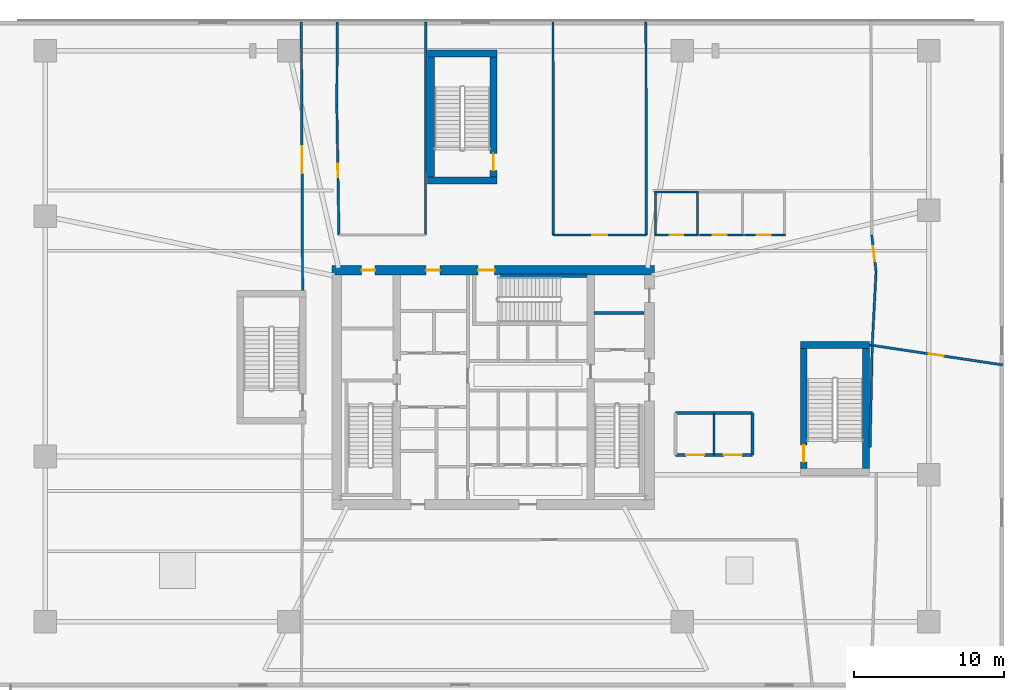
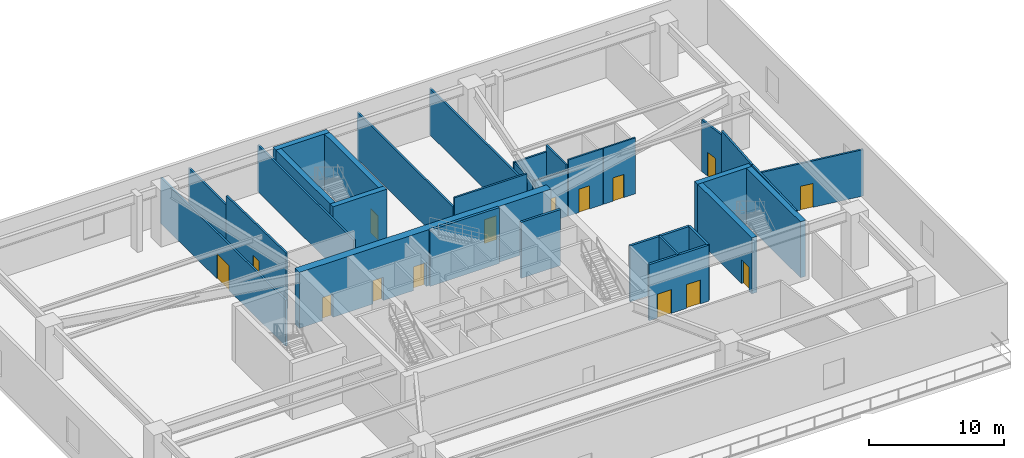
# One storey, part 6 of 11: 31 walls, 15 doors, 15 openings.
"""IFC4 building model written with IfcOpenShell, lengths in metres."""

from ifc_helpers import new_model, si_unit, direction, frame, frame_2d, origin, place, context, subcontext, project, spatial, rectangle, extrude, material, layer, layer_set, type_object, element, fill, save


model = new_model("IFC4")

# Units and contexts
model_context = context("Model", 3, precision=1e-05, world=origin(), true_north=direction((0.0, 1.0)))
body_context = subcontext(model_context, "Body", "Model", "MODEL_VIEW")
ifc_project = project(units=[si_unit("LENGTHUNIT", "METRE"), si_unit("AREAUNIT", "SQUARE_METRE"), si_unit("VOLUMEUNIT", "CUBIC_METRE"), si_unit("PLANEANGLEUNIT", "RADIAN"), si_unit("MASSUNIT", "GRAM", prefix="KILO")], contexts=[model_context])

# Site, building, storey
site_placement = place(None, origin())
site = spatial("IfcSite", under=ifc_project, at=site_placement, CompositionType="ELEMENT")
building_placement = place(site_placement, origin())
building = spatial("IfcBuilding", under=site, at=building_placement, Name="Qarnah Convention Tower", CompositionType="ELEMENT")
storey_placement = place(building_placement, frame((0.0, 0.0, 10.800048828125)))
storey = spatial("IfcBuildingStorey", under=building, at=storey_placement, Name="L02", CompositionType="ELEMENT", Elevation=10.800048828125)

# Wall, openings, doors
ifc_material_1 = material(Name="Concrete C60/75", Category="concrete")
ifc_layer_1 = layer(ifc_material_1, 0.64990234375)
ifc_layer_set_1 = layer_set([ifc_layer_1], Name="Concrete C60/75")
wall_type_1 = type_object("IfcWallType", Name="WL-CORE-650", PredefinedType="SHEAR", material=ifc_layer_set_1)
wall_1_placement = place(storey_placement, frame((26.47509765625, 34.199951171875, 0.0), z_axis=(0.0, 0.0, 1.0), x_axis=(1.0, 0.0, 0.0)))
wall_1 = element("IfcWall", 1, at=wall_1_placement, inside=storey, type_object=wall_type_1, Name="L02 core north shear wall", PredefinedType="SHEAR", context=body_context, shape_type="SweptSolid", body=[
    extrude(rectangle(XDim=21.449951171875, YDim=0.64990234375, at=frame_2d((10.72509765625, 0.0))), origin(), (0.0, 0.0, 1.0), 5.050048828125),
])
opening_1_placement = place(wall_1_placement, frame((9.72509765625, 0.0, 0.0)))
opening_1 = element("IfcOpeningElement", 2, at=opening_1_placement, cuts=wall_1, Name="Opening D-0203", PredefinedType="OPENING", context=body_context, shape_type="SweptSolid", body=[
    extrude(rectangle(XDim=1.10009765625, YDim=2.14990234375, at=frame_2d((0.550048828125, 1.074951171875))), frame((0.0, 0.3349609375, 0.0), z_axis=(0.0, -1.0, 0.0), x_axis=(1.0, 0.0, 0.0)), (0.0, 0.0, 1.0), 0.669921875),
])
opening_2_placement = place(wall_1_placement, frame((1.97509765625, 0.0, 0.0)))
opening_2 = element("IfcOpeningElement", 3, at=opening_2_placement, cuts=wall_1, Name="Opening D-0209", PredefinedType="OPENING", context=body_context, shape_type="SweptSolid", body=[
    extrude(rectangle(XDim=0.89990234375, YDim=2.10009765625, at=frame_2d((0.449951171875, 1.050048828125))), frame((0.0, 0.3349609375, 0.0), z_axis=(0.0, -1.0, 0.0), x_axis=(1.0, 0.0, 0.0)), (0.0, 0.0, 1.0), 0.669921875),
])
opening_3_placement = place(wall_1_placement, frame((6.27490234375, 0.0, 0.0)))
opening_3 = element("IfcOpeningElement", 4, at=opening_3_placement, cuts=wall_1, Name="Opening D-0210", PredefinedType="OPENING", context=body_context, shape_type="SweptSolid", body=[
    extrude(rectangle(XDim=0.89990234375, YDim=2.10009765625, at=frame_2d((0.449951171875, 1.050048828125))), frame((0.0, 0.3349609375, 0.0), z_axis=(0.0, -1.0, 0.0), x_axis=(1.0, 0.0, 0.0)), (0.0, 0.0, 1.0), 0.669921875),
])
ifc_material_2 = material(Name="Structural steel S355JR", Category="steel")
door_type_1 = type_object("IfcDoorType", Name="DT-RISER-900", OperationType="NOTDEFINED", PredefinedType="DOOR", material=ifc_material_2)
door_1_placement = place(opening_2_placement, origin())
door_1 = element("IfcDoor", 5, at=door_1_placement, inside=storey, type_object=door_type_1, Name="Door D-0209", OperationType="SINGLE_SWING_RIGHT", OverallHeight=2.10009765625, OverallWidth=0.89990234375, PredefinedType="DOOR", context=body_context, shape_type="SweptSolid", body=[
    extrude(rectangle(XDim=0.89990234375, YDim=2.10009765625, at=frame_2d((0.449951171875, 1.050048828125))), frame((0.0, 0.02490234375, 0.0), z_axis=(0.0, -1.0, 0.0), x_axis=(1.0, 0.0, 0.0)), (0.0, 0.0, 1.0), 0.050048828125),
])
fill(opening_2, door_1)
door_2_placement = place(opening_3_placement, origin())
door_2 = element("IfcDoor", 6, at=door_2_placement, inside=storey, type_object=door_type_1, Name="Door D-0210", OperationType="SINGLE_SWING_LEFT", OverallHeight=2.10009765625, OverallWidth=0.89990234375, PredefinedType="DOOR", context=body_context, shape_type="SweptSolid", body=[
    extrude(rectangle(XDim=0.89990234375, YDim=2.10009765625, at=frame_2d((0.449951171875, 1.050048828125))), frame((0.0, 0.02490234375, 0.0), z_axis=(0.0, -1.0, 0.0), x_axis=(1.0, 0.0, 0.0)), (0.0, 0.0, 1.0), 0.050048828125),
])
fill(opening_3, door_2)
door_type_2 = type_object("IfcDoorType", Name="DT-STAIR-1100", OperationType="NOTDEFINED", PredefinedType="DOOR", material=ifc_material_2)
door_3_placement = place(opening_1_placement, origin())
door_3 = element("IfcDoor", 7, at=door_3_placement, inside=storey, type_object=door_type_2, Name="Door D-0203", OperationType="SINGLE_SWING_RIGHT", OverallHeight=2.14990234375, OverallWidth=1.10009765625, PredefinedType="DOOR", context=body_context, shape_type="SweptSolid", body=[
    extrude(rectangle(XDim=1.10009765625, YDim=2.14990234375, at=frame_2d((0.550048828125, 1.074951171875))), frame((0.0, 0.02490234375, 0.0), z_axis=(0.0, -1.0, 0.0), x_axis=(1.0, 0.0, 0.0)), (0.0, 0.0, 1.0), 0.050048828125),
])
fill(opening_1, door_3)

# Walls
ifc_material_3 = material(Name="Concrete C45/55", Category="concrete")
ifc_layer_2 = layer(ifc_material_3, 0.199951171875)
ifc_layer_set_2 = layer_set([ifc_layer_2], Name="Concrete C45/55")
wall_type_2 = type_object("IfcWallType", Name="WL-CORE-PART-200", PredefinedType="SOLIDWALL", material=ifc_layer_set_2)
wall_2_placement = place(storey_placement, frame((43.89990234375, 31.35009765625, 0.0), z_axis=(0.0, 0.0, 1.0), x_axis=(1.0, 0.0, 0.0)))
element("IfcWall", 8, at=wall_2_placement, inside=storey, type_object=wall_type_2, Name="L02 interior wall IW-L02-WTRN", PredefinedType="SOLIDWALL", context=body_context, shape_type="SweptSolid", body=[
    extrude(rectangle(XDim=3.35009765625, YDim=0.199951171875, at=frame_2d((1.675048828125, 0.0))), origin(), (0.0, 0.0, 1.0), 5.050048828125),
])
wall_3_placement = place(storey_placement, frame((49.35009765625, 24.699951171875, 0.0), z_axis=(0.0, 0.0, 1.0), x_axis=(1.0, 0.0, 0.0)))
element("IfcWall", 9, at=wall_3_placement, inside=storey, type_object=wall_type_2, Name="L02 interior wall IW-L02-PSN", PredefinedType="SOLIDWALL", context=body_context, shape_type="SweptSolid", body=[
    extrude(rectangle(XDim=5.099853515625, YDim=0.199951171875, at=frame_2d((2.5498046875, 0.0))), origin(), (0.0, 0.0, 1.0), 5.050048828125),
])

# Wall, openings, doors
wall_4_placement = place(storey_placement, frame((49.35009765625, 21.89990234375, 0.0), z_axis=(0.0, 0.0, 1.0), x_axis=(1.0, 0.0, 0.0)))
wall_4 = element("IfcWall", 10, at=wall_4_placement, inside=storey, type_object=wall_type_2, Name="L02 interior wall IW-L02-PSS", PredefinedType="SOLIDWALL", context=body_context, shape_type="SweptSolid", body=[
    extrude(rectangle(XDim=5.099853515625, YDim=0.199951171875, at=frame_2d((2.5498046875, 0.0))), origin(), (0.0, 0.0, 1.0), 5.050048828125),
])
opening_4_placement = place(wall_4_placement, frame((0.699951171875, 0.0, 0.0)))
opening_4 = element("IfcOpeningElement", 11, at=opening_4_placement, cuts=wall_4, Name="Opening LD-0208", PredefinedType="OPENING", context=body_context, shape_type="SweptSolid", body=[
    extrude(rectangle(XDim=1.199951171875, YDim=2.14990234375, at=frame_2d((0.60009765625, 1.074951171875))), frame((0.0, 0.10986328125, 0.0), z_axis=(0.0, -1.0, 0.0), x_axis=(1.0, 0.0, 0.0)), (0.0, 0.0, 1.0), 0.219970703125),
])
opening_5_placement = place(wall_4_placement, frame((3.199951171875, 0.0, 0.0)))
opening_5 = element("IfcOpeningElement", 12, at=opening_5_placement, cuts=wall_4, Name="Opening LD-0209", PredefinedType="OPENING", context=body_context, shape_type="SweptSolid", body=[
    extrude(rectangle(XDim=1.199951171875, YDim=2.14990234375, at=frame_2d((0.60009765625, 1.074951171875))), frame((0.0, 0.10986328125, 0.0), z_axis=(0.0, -1.0, 0.0), x_axis=(1.0, 0.0, 0.0)), (0.0, 0.0, 1.0), 0.219970703125),
])
door_type_3 = type_object("IfcDoorType", Name="DT-LIFT-1200", OperationType="SLIDING_TO_LEFT", PredefinedType="DOOR", material=ifc_material_2)
door_4_placement = place(opening_4_placement, origin())
door_4 = element("IfcDoor", 13, at=door_4_placement, inside=storey, type_object=door_type_3, Name="Door LD-0208", OperationType="SLIDING_TO_LEFT", OverallHeight=2.14990234375, OverallWidth=1.199951171875, PredefinedType="DOOR", context=body_context, shape_type="SweptSolid", body=[
    extrude(rectangle(XDim=1.199951171875, YDim=2.14990234375, at=frame_2d((0.60009765625, 1.074951171875))), frame((0.0, 0.02490234375, 0.0), z_axis=(0.0, -1.0, 0.0), x_axis=(1.0, 0.0, 0.0)), (0.0, 0.0, 1.0), 0.050048828125),
])
fill(opening_4, door_4)
door_5_placement = place(opening_5_placement, origin())
door_5 = element("IfcDoor", 14, at=door_5_placement, inside=storey, type_object=door_type_3, Name="Door LD-0209", OperationType="SLIDING_TO_LEFT", OverallHeight=2.14990234375, OverallWidth=1.199951171875, PredefinedType="DOOR", context=body_context, shape_type="SweptSolid", body=[
    extrude(rectangle(XDim=1.199951171875, YDim=2.14990234375, at=frame_2d((0.60009765625, 1.074951171875))), frame((0.0, 0.02490234375, 0.0), z_axis=(0.0, -1.0, 0.0), x_axis=(1.0, 0.0, 0.0)), (0.0, 0.0, 1.0), 0.050048828125),
])
fill(opening_5, door_5)

# Walls
wall_5_placement = place(storey_placement, frame((54.449951171875, 21.89990234375, 0.0), z_axis=(0.0, 0.0, 1.0), x_axis=(0.0, 1.0, 0.0)))
element("IfcWall", 15, at=wall_5_placement, inside=storey, type_object=wall_type_2, Name="L02 interior wall IW-L02-PSE", PredefinedType="SOLIDWALL", context=body_context, shape_type="SweptSolid", body=[
    extrude(rectangle(XDim=2.800048828125, YDim=0.199951171875, at=frame_2d((1.39990234375, 0.0))), origin(), (0.0, 0.0, 1.0), 5.050048828125),
])
ifc_layer_3 = layer(ifc_material_1, 0.219970703125)
ifc_layer_set_3 = layer_set([ifc_layer_3], Name="Concrete C60/75")
wall_type_3 = type_object("IfcWallType", Name="WL-CORE-STAIR-220", PredefinedType="SHEAR", material=ifc_layer_set_3)
wall_6_placement = place(storey_placement, frame((37.550048828125, 33.840087890625, 0.0), z_axis=(0.0, 0.0, 1.0), x_axis=(1.0, 0.0, 0.0)))
element("IfcWall", 16, at=wall_6_placement, inside=storey, type_object=wall_type_3, Name="L02 stair shaft shear wall SW-L02-ST3N", PredefinedType="SHEAR", context=body_context, shape_type="SweptSolid", body=[
    extrude(rectangle(XDim=5.89990234375, YDim=0.219970703125, at=frame_2d((2.949951171875, 0.0))), origin(), (0.0, 0.0, 1.0), 5.050048828125),
])

# Wall, opening, door
ifc_material_4 = material(Name="Gypsum partition board")
ifc_layer_4 = layer(ifc_material_4, 0.159912109375)
ifc_layer_set_4 = layer_set([ifc_layer_4], Name="Gypsum partition board")
wall_type_4 = type_object("IfcWallType", Name="WL-CORR-160", PredefinedType="PARTITIONING", material=ifc_layer_set_4)
wall_7_placement = place(storey_placement, frame((24.52490234375, 32.39990234375, 0.0), z_axis=(0.0, 0.0, 1.0), x_axis=(-0.004795085797, 0.99998850351, 0.0)))
wall_7 = element("IfcWall", 17, at=wall_7_placement, inside=storey, type_object=wall_type_4, Name="L02 interior wall IW-L02-R-12", PredefinedType="PARTITIONING", context=body_context, shape_type="SweptSolid", body=[
    extrude(rectangle(XDim=18.329345703125, YDim=0.159912109375, at=frame_2d((9.16455078125, 0.0))), origin(), (0.0, 0.0, 1.0), 4.135009765625),
])
opening_6_placement = place(wall_7_placement, frame((8.264892578125, 0.0, 0.0)))
opening_6 = element("IfcOpeningElement", 18, at=opening_6_placement, cuts=wall_7, Name="Opening D-0222", PredefinedType="OPENING", context=body_context, shape_type="SweptSolid", body=[
    extrude(rectangle(XDim=1.800048828125, YDim=2.25, at=frame_2d((0.89990234375, 1.125))), frame((0.0, 0.08984375, 0.0), z_axis=(0.0, -1.0, 0.0), x_axis=(1.0, 0.0, 0.0)), (0.0, 0.0, 1.0), 0.179931640625),
])
ifc_material_5 = material(Name="Black anodised aluminium", Category="aluminium")
door_type_4 = type_object("IfcDoorType", Name="DT-HALL-DBL-1800", OperationType="DOUBLE_DOOR_SINGLE_SWING", PredefinedType="DOOR", material=ifc_material_5)
door_6_placement = place(opening_6_placement, origin())
door_6 = element("IfcDoor", 19, at=door_6_placement, inside=storey, type_object=door_type_4, Name="Door D-0222", OperationType="DOUBLE_DOOR_SINGLE_SWING", OverallHeight=2.25, OverallWidth=1.800048828125, PredefinedType="DOOR", context=body_context, shape_type="SweptSolid", body=[
    extrude(rectangle(XDim=1.800048828125, YDim=2.25, at=frame_2d((0.89990234375, 1.125))), frame((0.0, 0.02490234375, 0.0), z_axis=(0.0, -1.0, 0.0), x_axis=(1.0, 0.0, 0.0)), (0.0, 0.0, 1.0), 0.050048828125),
])
fill(opening_6, door_6)

wall_8_placement = place(storey_placement, frame((71.1201171875, 27.89599609375, 0.0), z_axis=(0.0, 0.0, 1.0), x_axis=(-0.988959501166, 0.148186048782, 0.0)))
wall_8 = element("IfcWall", 20, at=wall_8_placement, inside=storey, type_object=wall_type_4, Name="L02 interior wall IW-L02-R-15", PredefinedType="PARTITIONING", context=body_context, shape_type="SweptSolid", body=[
    extrude(rectangle(XDim=8.96923828125, YDim=0.159912109375, at=frame_2d((4.484619140625, 0.0))), origin(), (0.0, 0.0, 1.0), 4.19091796875),
])
opening_7_placement = place(wall_8_placement, frame((3.985107421875, 0.0, 0.0)))
opening_7 = element("IfcOpeningElement", 21, at=opening_7_placement, cuts=wall_8, Name="Opening D-0224", PredefinedType="OPENING", context=body_context, shape_type="SweptSolid", body=[
    extrude(rectangle(XDim=1.0, YDim=2.14990234375, at=frame_2d((0.5, 1.074951171875))), frame((0.0, 0.08984375, 0.0), z_axis=(0.0, -1.0, 0.0), x_axis=(1.0, 0.0, 0.0)), (0.0, 0.0, 1.0), 0.179931640625),
])
ifc_material_6 = material(Name="Oak timber veneer", Category="wood")
door_type_5 = type_object("IfcDoorType", Name="DT-OFFICE-1000", OperationType="NOTDEFINED", PredefinedType="DOOR", material=ifc_material_6)
door_7_placement = place(opening_7_placement, origin())
door_7 = element("IfcDoor", 22, at=door_7_placement, inside=storey, type_object=door_type_5, Name="Door D-0224", OperationType="SINGLE_SWING_RIGHT", OverallHeight=2.14990234375, OverallWidth=1.0, PredefinedType="DOOR", context=body_context, shape_type="SweptSolid", body=[
    extrude(rectangle(XDim=1.0, YDim=2.14990234375, at=frame_2d((0.5, 1.074951171875))), frame((0.0, 0.02490234375, 0.0), z_axis=(0.0, -1.0, 0.0), x_axis=(1.0, 0.0, 0.0)), (0.0, 0.0, 1.0), 0.050048828125),
])
fill(opening_7, door_7)

# Wall
wall_9_placement = place(storey_placement, frame((62.429931640625, 29.197998046875, 0.0), z_axis=(0.0, 0.0, 1.0), x_axis=(-0.021368945517, -0.999771658014, 0.0)))
element("IfcWall", 23, at=wall_9_placement, inside=storey, type_object=wall_type_4, Name="L02 interior wall IW-L02-R-16", PredefinedType="PARTITIONING", context=body_context, shape_type="SweptSolid", body=[
    extrude(rectangle(XDim=6.786376953125, YDim=0.159912109375, at=frame_2d((3.39306640625, 0.0))), origin(), (0.0, 0.0, 1.0), 5.050048828125),
])

# Wall, opening, door
wall_10_placement = place(storey_placement, frame((62.39990234375, 36.5400390625, 0.0), z_axis=(0.0, 0.0, 1.0), x_axis=(0.116160443909, -0.993230462315, 0.0)))
wall_10 = element("IfcWall", 24, at=wall_10_placement, inside=storey, type_object=wall_type_4, Name="L02 interior wall IW-L02-R-20", PredefinedType="PARTITIONING", context=body_context, shape_type="SweptSolid", body=[
    extrude(rectangle(XDim=2.496826171875, YDim=0.159912109375, at=frame_2d((1.24853515625, 0.0))), origin(), (0.0, 0.0, 1.0), 4.678955078125),
])
opening_8_placement = place(wall_10_placement, frame((0.748046875, 0.0, 0.0)))
opening_8 = element("IfcOpeningElement", 25, at=opening_8_placement, cuts=wall_10, Name="Opening D-0225", PredefinedType="OPENING", context=body_context, shape_type="SweptSolid", body=[
    extrude(rectangle(XDim=1.0, YDim=2.14990234375, at=frame_2d((0.5, 1.074951171875))), frame((0.0, 0.08984375, 0.0), z_axis=(0.0, -1.0, 0.0), x_axis=(1.0, 0.0, 0.0)), (0.0, 0.0, 1.0), 0.179931640625),
])
door_8_placement = place(opening_8_placement, origin())
door_8 = element("IfcDoor", 26, at=door_8_placement, inside=storey, type_object=door_type_5, Name="Door D-0225", OperationType="SINGLE_SWING_LEFT", OverallHeight=2.14990234375, OverallWidth=1.0, PredefinedType="DOOR", context=body_context, shape_type="SweptSolid", body=[
    extrude(rectangle(XDim=1.0, YDim=2.14990234375, at=frame_2d((0.5, 1.074951171875))), frame((0.0, 0.02490234375, 0.0), z_axis=(0.0, -1.0, 0.0), x_axis=(1.0, 0.0, 0.0)), (0.0, 0.0, 1.0), 0.050048828125),
])
fill(opening_8, door_8)

# Walls
wall_11_placement = place(storey_placement, frame((62.68603515625, 34.093017578125, 0.0), z_axis=(0.0, 0.0, 1.0), x_axis=(-0.05224774202, -0.998634153959, 0.0)))
element("IfcWall", 27, at=wall_11_placement, inside=storey, type_object=wall_type_4, Name="L02 interior wall IW-L02-R-21", PredefinedType="PARTITIONING", context=body_context, shape_type="SweptSolid", body=[
    extrude(rectangle(XDim=4.901611328125, YDim=0.159912109375, at=frame_2d((2.45068359375, 0.0))), origin(), (0.0, 0.0, 1.0), 5.050048828125),
])
wall_12_placement = place(storey_placement, frame((41.18701171875, 50.720947265625, 0.0), z_axis=(0.0, 0.0, 1.0), x_axis=(0.000912455504, -0.999999583712, 0.0)))
element("IfcWall", 28, at=wall_12_placement, inside=storey, type_object=wall_type_4, Name="L02 interior wall IW-L02-R-22", PredefinedType="PARTITIONING", context=body_context, shape_type="SweptSolid", body=[
    extrude(rectangle(XDim=14.180908203125, YDim=0.159912109375, at=frame_2d((7.09033203125, 0.0))), origin(), (0.0, 0.0, 1.0), 4.19091796875),
])

# Wall, opening, door
wall_13_placement = place(storey_placement, frame((41.199951171875, 36.5400390625, 0.0), z_axis=(0.0, 0.0, 1.0), x_axis=(1.0, 0.0, 0.0)))
wall_13 = element("IfcWall", 29, at=wall_13_placement, inside=storey, type_object=wall_type_4, Name="L02 interior wall IW-L02-R-23", PredefinedType="PARTITIONING", context=body_context, shape_type="SweptSolid", body=[
    extrude(rectangle(XDim=6.199951171875, YDim=0.159912109375, at=frame_2d((3.10009765625, 0.0))), origin(), (0.0, 0.0, 1.0), 5.050048828125),
])
opening_9_placement = place(wall_13_placement, frame((2.60009765625, 0.0, 0.0)))
opening_9 = element("IfcOpeningElement", 30, at=opening_9_placement, cuts=wall_13, Name="Opening D-0226", PredefinedType="OPENING", context=body_context, shape_type="SweptSolid", body=[
    extrude(rectangle(XDim=1.0, YDim=2.14990234375, at=frame_2d((0.5, 1.074951171875))), frame((0.0, 0.08984375, 0.0), z_axis=(0.0, -1.0, 0.0), x_axis=(1.0, 0.0, 0.0)), (0.0, 0.0, 1.0), 0.179931640625),
])
door_9_placement = place(opening_9_placement, origin())
door_9 = element("IfcDoor", 31, at=door_9_placement, inside=storey, type_object=door_type_5, Name="Door D-0226", OperationType="SINGLE_SWING_RIGHT", OverallHeight=2.14990234375, OverallWidth=1.0, PredefinedType="DOOR", context=body_context, shape_type="SweptSolid", body=[
    extrude(rectangle(XDim=1.0, YDim=2.14990234375, at=frame_2d((0.5, 1.074951171875))), frame((0.0, 0.02490234375, 0.0), z_axis=(0.0, -1.0, 0.0), x_axis=(1.0, 0.0, 0.0)), (0.0, 0.0, 1.0), 0.050048828125),
])
fill(opening_9, door_9)

# Walls
wall_14_placement = place(storey_placement, frame((47.39990234375, 36.5400390625, 0.0), z_axis=(0.0, 0.0, 1.0), x_axis=(-0.002185655469, 0.999997611452, 0.0)))
element("IfcWall", 32, at=wall_14_placement, inside=storey, type_object=wall_type_4, Name="L02 interior wall IW-L02-R-24", PredefinedType="PARTITIONING", context=body_context, shape_type="SweptSolid", body=[
    extrude(rectangle(XDim=14.18603515625, YDim=0.159912109375, at=frame_2d((7.093017578125, 0.0))), origin(), (0.0, 0.0, 1.0), 4.19091796875),
])
wall_15_placement = place(storey_placement, frame((26.8310546875, 50.72607421875, 0.0), z_axis=(0.0, 0.0, 1.0), x_axis=(-0.005550371215, -0.999984596571, 0.0)))
element("IfcWall", 33, at=wall_15_placement, inside=storey, type_object=wall_type_4, Name="L02 interior wall IW-L02-R-25", PredefinedType="PARTITIONING", context=body_context, shape_type="SweptSolid", body=[
    extrude(rectangle(XDim=5.586181640625, YDim=0.159912109375, at=frame_2d((2.79296875, 0.0))), origin(), (0.0, 0.0, 1.0), 4.19091796875),
])

# Wall, opening, door
wall_16_placement = place(storey_placement, frame((26.800048828125, 45.139892578125, 0.0), z_axis=(0.0, 0.0, 1.0), x_axis=(0.016264704162, -0.99986772095, 0.0)))
wall_16 = element("IfcWall", 34, at=wall_16_placement, inside=storey, type_object=wall_type_4, Name="L02 interior wall IW-L02-R-26", PredefinedType="PARTITIONING", context=body_context, shape_type="SweptSolid", body=[
    extrude(rectangle(XDim=8.60107421875, YDim=0.159912109375, at=frame_2d((4.300537109375, 0.0))), origin(), (0.0, 0.0, 1.0), 5.050048828125),
])
opening_10_placement = place(wall_16_placement, frame((3.85107421875, 0.0, 0.0)))
opening_10 = element("IfcOpeningElement", 35, at=opening_10_placement, cuts=wall_16, Name="Opening D-0227", PredefinedType="OPENING", context=body_context, shape_type="SweptSolid", body=[
    extrude(rectangle(XDim=0.89990234375, YDim=2.0, at=frame_2d((0.449951171875, 1.0))), frame((0.0, 0.08984375, 0.0), z_axis=(0.0, -1.0, 0.0), x_axis=(1.0, 0.0, 0.0)), (0.0, 0.0, 1.0), 0.179931640625),
])
door_type_6 = type_object("IfcDoorType", Name="DT-PLANT-900", OperationType="NOTDEFINED", PredefinedType="DOOR", material=ifc_material_2)
door_10_placement = place(opening_10_placement, origin())
door_10 = element("IfcDoor", 36, at=door_10_placement, inside=storey, type_object=door_type_6, Name="Door D-0227", OperationType="SINGLE_SWING_LEFT", OverallHeight=2.0, OverallWidth=0.89990234375, PredefinedType="DOOR", context=body_context, shape_type="SweptSolid", body=[
    extrude(rectangle(XDim=0.89990234375, YDim=2.0, at=frame_2d((0.449951171875, 1.0))), frame((0.0, 0.02490234375, 0.0), z_axis=(0.0, -1.0, 0.0), x_axis=(1.0, 0.0, 0.0)), (0.0, 0.0, 1.0), 0.050048828125),
])
fill(opening_10, door_10)

# Walls
wall_17_placement = place(storey_placement, frame((32.699951171875, 36.5400390625, 0.0), z_axis=(0.0, 0.0, 1.0), x_axis=(0.001067400614, 0.999999430328, 0.0)))
element("IfcWall", 37, at=wall_17_placement, inside=storey, type_object=wall_type_4, Name="L02 interior wall IW-L02-R-28", PredefinedType="PARTITIONING", context=body_context, shape_type="SweptSolid", body=[
    extrude(rectangle(XDim=14.180908203125, YDim=0.159912109375, at=frame_2d((7.09033203125, 0.0))), origin(), (0.0, 0.0, 1.0), 4.19091796875),
])
ifc_layer_5 = layer(ifc_material_1, 0.449951171875)
ifc_layer_set_5 = layer_set([ifc_layer_5], Name="Concrete C60/75")
wall_type_5 = type_object("IfcWallType", Name="WL-POD-CORE-450", PredefinedType="SHEAR", material=ifc_layer_set_5)
wall_18_placement = place(storey_placement, frame((57.64990234375, 29.22509765625, 0.0), z_axis=(0.0, 0.0, 1.0), x_axis=(1.0, 0.0, 0.0)))
element("IfcWall", 38, at=wall_18_placement, inside=storey, type_object=wall_type_5, Name="L02 podium stair ST-4 north wall", PredefinedType="SHEAR", context=body_context, shape_type="SweptSolid", body=[
    extrude(rectangle(XDim=4.60009765625, YDim=0.449951171875, at=frame_2d((2.300048828125, 0.0))), origin(), (0.0, 0.0, 1.0), 5.050048828125),
])

# Wall, opening, door
wall_19_placement = place(storey_placement, frame((57.875, 21.0, 0.0), z_axis=(0.0, 0.0, 1.0), x_axis=(0.0, 1.0, 0.0)))
wall_19 = element("IfcWall", 39, at=wall_19_placement, inside=storey, type_object=wall_type_5, Name="L02 podium stair ST-4 west wall", PredefinedType="SHEAR", context=body_context, shape_type="SweptSolid", body=[
    extrude(rectangle(XDim=8.0, YDim=0.449951171875, at=frame_2d((4.0, 0.0))), origin(), (0.0, 0.0, 1.0), 5.050048828125),
])
opening_11_placement = place(wall_19_placement, frame((0.449951171875, 0.0, 0.0)))
opening_11 = element("IfcOpeningElement", 40, at=opening_11_placement, cuts=wall_19, Name="Opening D-0216", PredefinedType="OPENING", context=body_context, shape_type="SweptSolid", body=[
    extrude(rectangle(XDim=1.10009765625, YDim=2.14990234375, at=frame_2d((0.550048828125, 1.074951171875))), frame((0.0, 0.23486328125, 0.0), z_axis=(0.0, -1.0, 0.0), x_axis=(1.0, 0.0, 0.0)), (0.0, 0.0, 1.0), 0.469970703125),
])
door_11_placement = place(opening_11_placement, origin())
door_11 = element("IfcDoor", 41, at=door_11_placement, inside=storey, type_object=door_type_2, Name="Door D-0216", OperationType="SINGLE_SWING_LEFT", OverallHeight=2.14990234375, OverallWidth=1.10009765625, PredefinedType="DOOR", context=body_context, shape_type="SweptSolid", body=[
    extrude(rectangle(XDim=1.10009765625, YDim=2.14990234375, at=frame_2d((0.550048828125, 1.074951171875))), frame((0.0, 0.02490234375, 0.0), z_axis=(0.0, -1.0, 0.0), x_axis=(1.0, 0.0, 0.0)), (0.0, 0.0, 1.0), 0.050048828125),
])
fill(opening_11, door_11)

# Walls
wall_20_placement = place(storey_placement, frame((62.02490234375, 21.0, 0.0), z_axis=(0.0, 0.0, 1.0), x_axis=(0.0, 1.0, 0.0)))
element("IfcWall", 42, at=wall_20_placement, inside=storey, type_object=wall_type_5, Name="L02 podium stair ST-4 east wall", PredefinedType="SHEAR", context=body_context, shape_type="SweptSolid", body=[
    extrude(rectangle(XDim=8.0, YDim=0.449951171875, at=frame_2d((4.0, 0.0))), origin(), (0.0, 0.0, 1.0), 5.050048828125),
])
for number, where, z_axis, x_axis, name in (
    (43, (32.85009765625, 40.175048828125, 0.0), (0.0, 0.0, 1.0), (1.0, 0.0, 0.0), "L02 podium stair ST-6 south wall"),
    (44, (32.85009765625, 48.625, 0.0), (0.0, 0.0, 1.0), (1.0, 0.0, 0.0), "L02 podium stair ST-6 north wall"),
):
    element("IfcWall", number, at=place(storey_placement, frame(where, z_axis=z_axis, x_axis=x_axis)), inside=storey, type_object=wall_type_5, Name=name, PredefinedType="SHEAR", context=body_context, shape_type="SweptSolid", body=[
        extrude(rectangle(XDim=4.599853515625, YDim=0.449951171875, at=frame_2d((2.2998046875, 0.0))), origin(), (0.0, 0.0, 1.0), 5.050048828125),
    ])
wall_21_placement = place(storey_placement, frame((33.074951171875, 40.39990234375, 0.0), z_axis=(0.0, 0.0, 1.0), x_axis=(0.0, 1.0, 0.0)))
element("IfcWall", 45, at=wall_21_placement, inside=storey, type_object=wall_type_5, Name="L02 podium stair ST-6 west wall", PredefinedType="SHEAR", context=body_context, shape_type="SweptSolid", body=[
    extrude(rectangle(XDim=8.0, YDim=0.449951171875, at=frame_2d((4.0, 0.0))), origin(), (0.0, 0.0, 1.0), 5.050048828125),
])

# Wall, opening, door
wall_22_placement = place(storey_placement, frame((37.22509765625, 40.39990234375, 0.0), z_axis=(0.0, 0.0, 1.0), x_axis=(0.0, 1.0, 0.0)))
wall_22 = element("IfcWall", 46, at=wall_22_placement, inside=storey, type_object=wall_type_5, Name="L02 podium stair ST-6 east wall", PredefinedType="SHEAR", context=body_context, shape_type="SweptSolid", body=[
    extrude(rectangle(XDim=8.0, YDim=0.449951171875, at=frame_2d((4.0, 0.0))), origin(), (0.0, 0.0, 1.0), 5.050048828125),
])
opening_12_placement = place(wall_22_placement, frame((0.449951171875, 0.0, 0.0)))
opening_12 = element("IfcOpeningElement", 47, at=opening_12_placement, cuts=wall_22, Name="Opening D-0218", PredefinedType="OPENING", context=body_context, shape_type="SweptSolid", body=[
    extrude(rectangle(XDim=1.10009765625, YDim=2.14990234375, at=frame_2d((0.550048828125, 1.074951171875))), frame((0.0, 0.23486328125, 0.0), z_axis=(0.0, -1.0, 0.0), x_axis=(1.0, 0.0, 0.0)), (0.0, 0.0, 1.0), 0.469970703125),
])
door_12_placement = place(opening_12_placement, origin())
door_12 = element("IfcDoor", 48, at=door_12_placement, inside=storey, type_object=door_type_2, Name="Door D-0218", OperationType="SINGLE_SWING_LEFT", OverallHeight=2.14990234375, OverallWidth=1.10009765625, PredefinedType="DOOR", context=body_context, shape_type="SweptSolid", body=[
    extrude(rectangle(XDim=1.10009765625, YDim=2.14990234375, at=frame_2d((0.550048828125, 1.074951171875))), frame((0.0, 0.02490234375, 0.0), z_axis=(0.0, -1.0, 0.0), x_axis=(1.0, 0.0, 0.0)), (0.0, 0.0, 1.0), 0.050048828125),
])
fill(opening_12, door_12)

# Wall
ifc_layer_6 = layer(ifc_material_4, 0.14990234375)
ifc_layer_set_6 = layer_set([ifc_layer_6], Name="Gypsum partition board")
wall_type_6 = type_object("IfcWallType", Name="WL-SUITE-150", PredefinedType="PARTITIONING", material=ifc_layer_set_6)
wall_23_placement = place(storey_placement, frame((51.89990234375, 21.89990234375, 0.0), z_axis=(0.0, 0.0, 1.0), x_axis=(0.0, 1.0, 0.0)))
element("IfcWall", 49, at=wall_23_placement, inside=storey, type_object=wall_type_6, Name="L02 interior wall IW-L02-PSM", PredefinedType="PARTITIONING", context=body_context, shape_type="SweptSolid", body=[
    extrude(rectangle(XDim=2.800048828125, YDim=0.14990234375, at=frame_2d((1.39990234375, 0.0))), origin(), (0.0, 0.0, 1.0), 5.050048828125),
])

# Wall, opening, door
ifc_layer_7 = layer(ifc_material_4, 0.139892578125)
ifc_layer_set_7 = layer_set([ifc_layer_7], Name="Gypsum partition board")
wall_type_7 = type_object("IfcWallType", Name="WL-WET-140", PredefinedType="PARTITIONING", material=ifc_layer_set_7)
wall_24_placement = place(storey_placement, frame((47.929931640625, 36.550048828125, 0.0), z_axis=(0.0, 0.0, 1.0), x_axis=(1.0, 0.0, 0.0)))
wall_24 = element("IfcWall", 50, at=wall_24_placement, inside=storey, type_object=wall_type_7, Name="L02 interior wall IW-L02-WCM-1", PredefinedType="PARTITIONING", context=body_context, shape_type="SweptSolid", body=[
    extrude(rectangle(XDim=2.940185546875, YDim=0.139892578125, at=frame_2d((1.47021484375, 0.0))), origin(), (0.0, 0.0, 1.0), 4.135009765625),
])
opening_13_placement = place(wall_24_placement, frame((1.010009765625, 0.0, 0.0)))
opening_13 = element("IfcOpeningElement", 51, at=opening_13_placement, cuts=wall_24, Name="Opening D-0219", PredefinedType="OPENING", context=body_context, shape_type="SweptSolid", body=[
    extrude(rectangle(XDim=0.919921875, YDim=2.10009765625, at=frame_2d((0.4599609375, 1.050048828125))), frame((0.0, 0.079833984375, 0.0), z_axis=(0.0, -1.0, 0.0), x_axis=(1.0, 0.0, 0.0)), (0.0, 0.0, 1.0), 0.159912109375),
])
door_type_7 = type_object("IfcDoorType", Name="DT-WC-920", OperationType="NOTDEFINED", PredefinedType="DOOR", material=ifc_material_6)
door_13_placement = place(opening_13_placement, origin())
door_13 = element("IfcDoor", 52, at=door_13_placement, inside=storey, type_object=door_type_7, Name="Door D-0219", OperationType="SINGLE_SWING_RIGHT", OverallHeight=2.10009765625, OverallWidth=0.919921875, PredefinedType="DOOR", context=body_context, shape_type="SweptSolid", body=[
    extrude(rectangle(XDim=0.919921875, YDim=2.10009765625, at=frame_2d((0.4599609375, 1.050048828125))), frame((0.0, 0.02490234375, 0.0), z_axis=(0.0, -1.0, 0.0), x_axis=(1.0, 0.0, 0.0)), (0.0, 0.0, 1.0), 0.050048828125),
])
fill(opening_13, door_13)

# Walls
wall_25_placement = place(storey_placement, frame((50.800048828125, 36.47998046875, 0.0), z_axis=(0.0, 0.0, 1.0), x_axis=(0.0, 1.0, 0.0)))
element("IfcWall", 53, at=wall_25_placement, inside=storey, type_object=wall_type_7, Name="L02 interior wall IW-L02-WCM-2", PredefinedType="PARTITIONING", context=body_context, shape_type="SweptSolid", body=[
    extrude(rectangle(XDim=2.989990234375, YDim=0.139892578125, at=frame_2d((1.4951171875, 0.0))), origin(), (0.0, 0.0, 1.0), 4.678955078125),
])
wall_26_placement = place(storey_placement, frame((50.8701171875, 39.39990234375, 0.0), z_axis=(0.0, 0.0, 1.0), x_axis=(-1.0, 0.0, 0.0)))
element("IfcWall", 54, at=wall_26_placement, inside=storey, type_object=wall_type_7, Name="L02 interior wall IW-L02-WCM-3", PredefinedType="PARTITIONING", context=body_context, shape_type="SweptSolid", body=[
    extrude(rectangle(XDim=2.940185546875, YDim=0.139892578125, at=frame_2d((1.47021484375, 0.0))), origin(), (0.0, 0.0, 1.0), 4.135009765625),
])
wall_27_placement = place(storey_placement, frame((48.0, 39.469970703125, 0.0), z_axis=(0.0, 0.0, 1.0), x_axis=(0.0, -1.0, 0.0)))
element("IfcWall", 55, at=wall_27_placement, inside=storey, type_object=wall_type_7, Name="L02 interior wall IW-L02-WCM-4", PredefinedType="PARTITIONING", context=body_context, shape_type="SweptSolid", body=[
    extrude(rectangle(XDim=2.989990234375, YDim=0.139892578125, at=frame_2d((1.4951171875, 0.0))), origin(), (0.0, 0.0, 1.0), 4.135009765625),
])

# Wall, opening, door
wall_28_placement = place(storey_placement, frame((50.929931640625, 36.550048828125, 0.0), z_axis=(0.0, 0.0, 1.0), x_axis=(1.0, 0.0, 0.0)))
wall_28 = element("IfcWall", 56, at=wall_28_placement, inside=storey, type_object=wall_type_7, Name="L02 interior wall IW-L02-WCF-1", PredefinedType="PARTITIONING", context=body_context, shape_type="SweptSolid", body=[
    extrude(rectangle(XDim=2.940185546875, YDim=0.139892578125, at=frame_2d((1.47021484375, 0.0))), origin(), (0.0, 0.0, 1.0), 5.050048828125),
])
opening_14_placement = place(wall_28_placement, frame((0.89990234375, 0.0, 0.0)))
opening_14 = element("IfcOpeningElement", 57, at=opening_14_placement, cuts=wall_28, Name="Opening D-0220", PredefinedType="OPENING", context=body_context, shape_type="SweptSolid", body=[
    extrude(rectangle(XDim=0.919921875, YDim=2.10009765625, at=frame_2d((0.4599609375, 1.050048828125))), frame((0.0, 0.079833984375, 0.0), z_axis=(0.0, -1.0, 0.0), x_axis=(1.0, 0.0, 0.0)), (0.0, 0.0, 1.0), 0.159912109375),
])
door_14_placement = place(opening_14_placement, origin())
door_14 = element("IfcDoor", 58, at=door_14_placement, inside=storey, type_object=door_type_7, Name="Door D-0220", OperationType="SINGLE_SWING_LEFT", OverallHeight=2.10009765625, OverallWidth=0.919921875, PredefinedType="DOOR", context=body_context, shape_type="SweptSolid", body=[
    extrude(rectangle(XDim=0.919921875, YDim=2.10009765625, at=frame_2d((0.4599609375, 1.050048828125))), frame((0.0, 0.02490234375, 0.0), z_axis=(0.0, -1.0, 0.0), x_axis=(1.0, 0.0, 0.0)), (0.0, 0.0, 1.0), 0.050048828125),
])
fill(opening_14, door_14)

wall_29_placement = place(storey_placement, frame((53.929931640625, 36.550048828125, 0.0), z_axis=(0.0, 0.0, 1.0), x_axis=(1.0, 0.0, 0.0)))
wall_29 = element("IfcWall", 59, at=wall_29_placement, inside=storey, type_object=wall_type_7, Name="L02 interior wall IW-L02-WCA-1", PredefinedType="PARTITIONING", context=body_context, shape_type="SweptSolid", body=[
    extrude(rectangle(XDim=2.739990234375, YDim=0.139892578125, at=frame_2d((1.3701171875, 0.0))), origin(), (0.0, 0.0, 1.0), 5.050048828125),
])
opening_15_placement = place(wall_29_placement, frame((0.81396484375, 0.0, 0.0)))
opening_15 = element("IfcOpeningElement", 60, at=opening_15_placement, cuts=wall_29, Name="Opening D-0221", PredefinedType="OPENING", context=body_context, shape_type="SweptSolid", body=[
    extrude(rectangle(XDim=0.919921875, YDim=2.10009765625, at=frame_2d((0.4599609375, 1.050048828125))), frame((0.0, 0.079833984375, 0.0), z_axis=(0.0, -1.0, 0.0), x_axis=(1.0, 0.0, 0.0)), (0.0, 0.0, 1.0), 0.159912109375),
])
door_15_placement = place(opening_15_placement, origin())
door_15 = element("IfcDoor", 61, at=door_15_placement, inside=storey, type_object=door_type_7, Name="Door D-0221", OperationType="SINGLE_SWING_RIGHT", OverallHeight=2.10009765625, OverallWidth=0.919921875, PredefinedType="DOOR", context=body_context, shape_type="SweptSolid", body=[
    extrude(rectangle(XDim=0.919921875, YDim=2.10009765625, at=frame_2d((0.4599609375, 1.050048828125))), frame((0.0, 0.02490234375, 0.0), z_axis=(0.0, -1.0, 0.0), x_axis=(1.0, 0.0, 0.0)), (0.0, 0.0, 1.0), 0.050048828125),
])
fill(opening_15, door_15)

save(model, "model.ifc")
